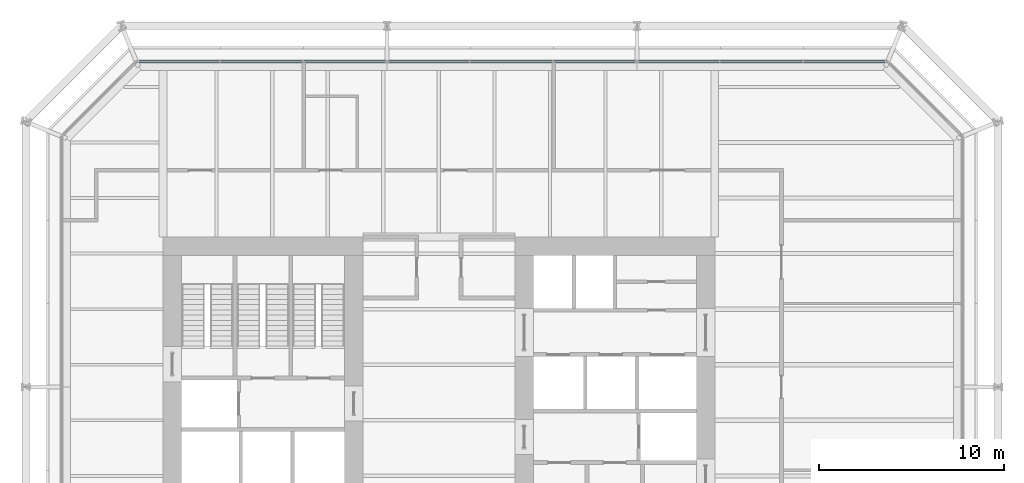
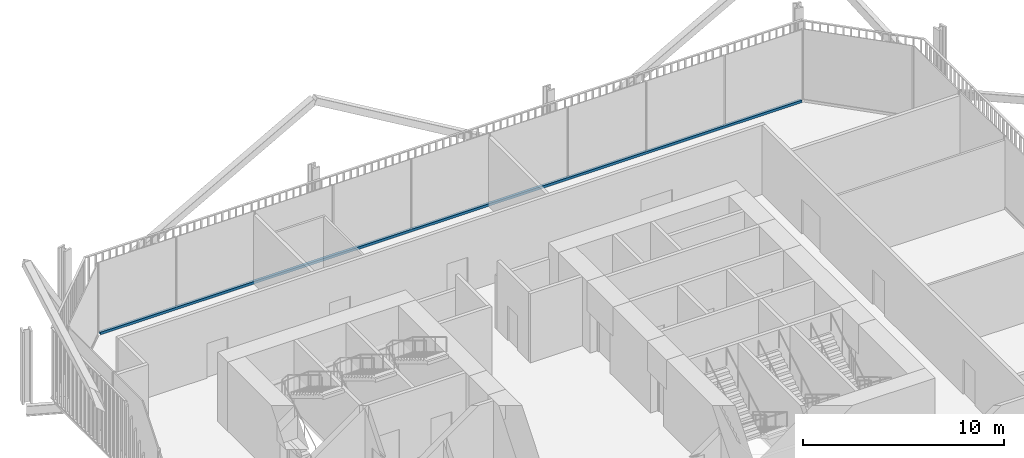
# One storey, part 13 of 21: 1 member, 1 element without a shape of its own.
"""IFC4 building model written with IfcOpenShell, lengths in metres."""

from ifc_helpers import new_model, si_unit, direction, frame, origin, origin_2d, place, context, subcontext, project, spatial, rectangle, extrude, material, layer, layer_set, material_profile, profile_set, type_object, element, aggregate, save


model = new_model("IFC4")

# Units and contexts
model_context = context("Model", 3, precision=1e-05, world=origin(), true_north=direction((0.0, 1.0)))
body_context = subcontext(model_context, "Body", "Model", "MODEL_VIEW")
ifc_project = project(units=[si_unit("LENGTHUNIT", "METRE"), si_unit("AREAUNIT", "SQUARE_METRE"), si_unit("VOLUMEUNIT", "CUBIC_METRE"), si_unit("PLANEANGLEUNIT", "RADIAN"), si_unit("MASSUNIT", "GRAM", prefix="KILO")], contexts=[model_context])

# Site, building, storey
site_placement = place(None, origin())
site = spatial("IfcSite", under=ifc_project, at=site_placement, CompositionType="ELEMENT")
building_placement = place(site_placement, origin())
building = spatial("IfcBuilding", under=site, at=building_placement, Name="Millrace Tower", CompositionType="ELEMENT")
storey_placement = place(building_placement, frame((0.0, 0.0, 95.199951171875)))
storey = spatial("IfcBuildingStorey", under=building, at=storey_placement, Name="L21", CompositionType="ELEMENT", Elevation=95.199951171875)

# Curtain wall, member
ifc_material_1 = material(Name="Aluminium and glass", Category="aluminium")
ifc_layer = layer(ifc_material_1, 0.14990234375)
ifc_layer_set = layer_set([ifc_layer], Name="Aluminium and glass")
curtain_wall_type = type_object("IfcCurtainWallType", Name="CW-3 telecom floor curtain wall", PredefinedType="NOTDEFINED", material=ifc_layer_set)
curtain_wall_placement = place(storey_placement, origin())
curtain_wall = element("IfcCurtainWall", 1, at=curtain_wall_placement, inside=storey, type_object=curtain_wall_type, Name="Curtain wall B-F06 L21", PredefinedType="NOTDEFINED")
ifc_material_2 = material(Name="Aluminium", Category="aluminium")
ifc_material_profile = material_profile(ifc_material_2, rectangle(XDim=0.14990234375, YDim=0.14990234375, at=origin_2d()))
ifc_profile_set = profile_set([ifc_material_profile], Name="Aluminium")
member_type = type_object("IfcMemberType", Name="CW-3 telecom floor curtain wall transom", PredefinedType="USERDEFINED", material=ifc_profile_set)
member_placement = place(storey_placement, frame((24.10009765625, 19.375, 0.074951171875), z_axis=(-1.0, 0.0, 0.0), x_axis=(0.0, -1.0, 0.0)))
member = element("IfcMember", 2, at=member_placement, type_object=member_type, Name="CW3 transom B-F06.1", ObjectType="TRANSOM", PredefinedType="USERDEFINED", context=body_context, shape_type="SweptSolid", body=[
    extrude(rectangle(XDim=0.14990234375, YDim=0.14990234375, at=origin_2d()), origin(), (0.0, 0.0, 1.0), 40.300048828125),
])
aggregate(curtain_wall, [member])

save(model, "model.ifc")
